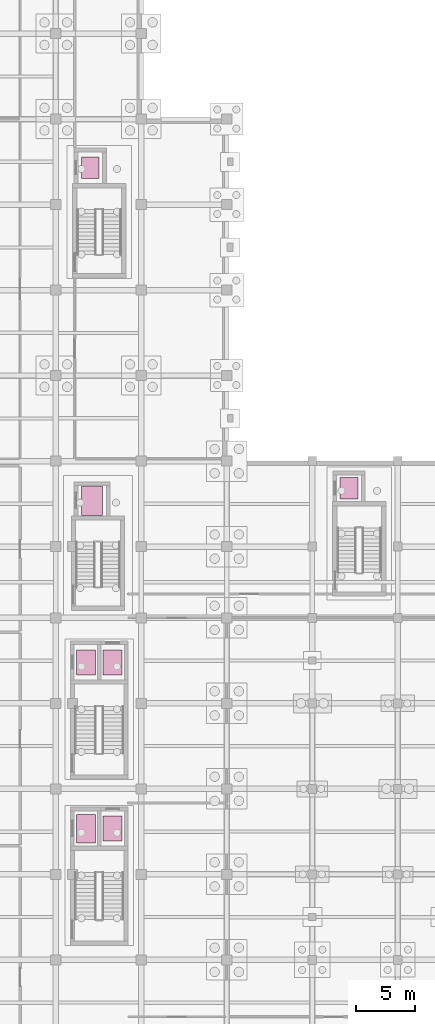
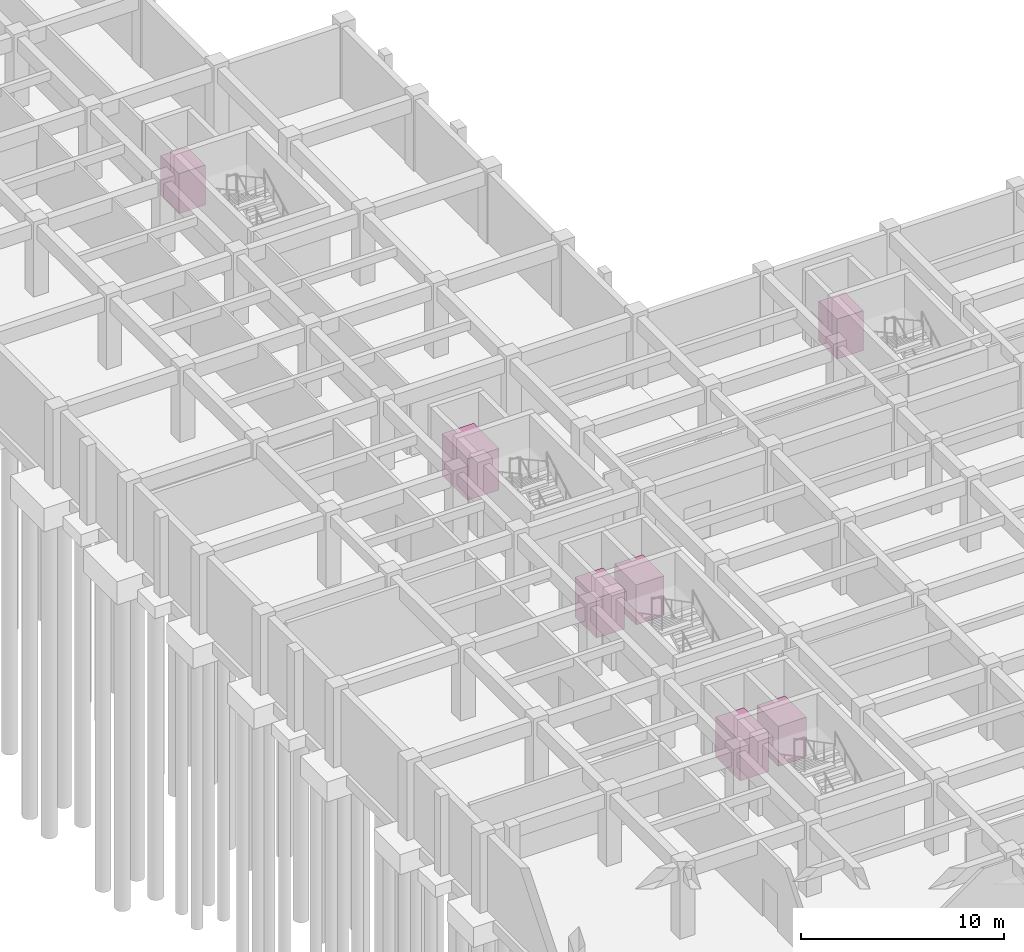
# One storey, part 28 of 28: 7 transport elements.
"""IFC4 building model written with IfcOpenShell, lengths in metres."""

from ifc_helpers import new_model, si_unit, direction, frame, origin, origin_2d, place, context, subcontext, project, spatial, rectangle, extrude, material, type_object, element, save


model = new_model("IFC4")

# Units and contexts
model_context = context("Model", 3, precision=1e-05, world=origin(), true_north=direction((0.0, 1.0)))
body_context = subcontext(model_context, "Body", "Model", "MODEL_VIEW")
ifc_project = project(units=[si_unit("LENGTHUNIT", "METRE"), si_unit("AREAUNIT", "SQUARE_METRE"), si_unit("VOLUMEUNIT", "CUBIC_METRE"), si_unit("PLANEANGLEUNIT", "RADIAN"), si_unit("MASSUNIT", "GRAM", prefix="KILO")], contexts=[model_context])

# Site, building, storey
site_placement = place(None, origin())
site = spatial("IfcSite", under=ifc_project, at=site_placement, CompositionType="ELEMENT")
building_placement = place(site_placement, origin())
building = spatial("IfcBuilding", under=site, at=building_placement, Name="Alvorim Cloister Faculty of Sciences", CompositionType="ELEMENT")
storey_placement = place(building_placement, frame((0.0, 0.0, -4.5)))
storey = spatial("IfcBuildingStorey", under=building, at=storey_placement, Name="B01", CompositionType="ELEMENT", Elevation=-4.5)

# Transport elements
ifc_material = material(Name="Brushed Stainless Steel", Category="steel")
transport_element_type_1 = type_object("IfcTransportElementType", Name="LFT-FF-1600x2400", PredefinedType="ELEVATOR", material=ifc_material)
transport_element_1_placement = place(storey_placement, frame((16.929931640625, 25.449951171875, 0.0), z_axis=(0.0, 0.0, 1.0), x_axis=(1.0, 0.0, 0.0)))
element("IfcTransportElement", 1, at=transport_element_1_placement, inside=storey, type_object=transport_element_type_1, Name="Emergency Firefighting and Stretcher Lift LF-01", PredefinedType="ELEVATOR", context=body_context, shape_type="SweptSolid", body=[
    extrude(rectangle(XDim=1.60009765625, YDim=2.39990234375, at=origin_2d()), origin(), (0.0, 0.0, 1.0), 2.39990234375),
])
transport_element_type_2 = type_object("IfcTransportElementType", Name="LFT-GDS-1800x2500", PredefinedType="ELEVATOR", material=ifc_material)
transport_element_2_placement = place(storey_placement, frame((17.449951171875, 53.050048828125, 0.0), z_axis=(0.0, 0.0, 1.0), x_axis=(1.0, 0.0, 0.0)))
element("IfcTransportElement", 2, at=transport_element_2_placement, inside=storey, type_object=transport_element_type_2, Name="Laboratory Clean/Dirty Goods Lift LG-01", PredefinedType="ELEVATOR", context=body_context, shape_type="SweptSolid", body=[
    extrude(rectangle(XDim=1.800048828125, YDim=2.5, at=origin_2d()), origin(), (0.0, 0.0, 1.0), 2.5),
])
transport_element_type_3 = type_object("IfcTransportElementType", Name="LFT-PAX-1500x1800", PredefinedType="ELEVATOR", material=ifc_material)
for number, where, z_axis, x_axis, name in (
    (3, (39.10009765625, 54.10009765625, 0.0), (0.0, 0.0, 1.0), (1.0, 0.0, 0.0), "Laboratory Wing Passenger Lift LP-04"),
    (4, (17.300048828125, 81.10009765625, 0.0), (0.0, 0.0, 1.0), (1.0, 0.0, 0.0), "Learning Commons Passenger Lift LP-05"),
):
    element("IfcTransportElement", number, at=place(storey_placement, frame(where, z_axis=z_axis, x_axis=x_axis)), inside=storey, type_object=transport_element_type_3, Name=name, PredefinedType="ELEVATOR", context=body_context, shape_type="SweptSolid", body=[
        extrude(rectangle(XDim=1.5, YDim=1.800048828125, at=origin_2d()), origin(), (0.0, 0.0, 1.0), 2.39990234375),
    ])
transport_element_type_4 = type_object("IfcTransportElementType", Name="LFT-PAX-1600x2100", PredefinedType="ELEVATOR", material=ifc_material)
for number, where, z_axis, x_axis, name in (
    (5, (19.18994140625, 25.449951171875, 0.0), (0.0, 0.0, 1.0), (1.0, 0.0, 0.0), "Main Tower Passenger Lift LP-01"),
    (6, (16.929931640625, 39.449951171875, 0.0), (0.0, 0.0, 1.0), (1.0, 0.0, 0.0), "Main Tower Passenger Lift LP-02"),
    (7, (19.18994140625, 39.449951171875, 0.0), (0.0, 0.0, 1.0), (1.0, 0.0, 0.0), "Atrium and Tower Passenger Lift LP-03"),
):
    element("IfcTransportElement", number, at=place(storey_placement, frame(where, z_axis=z_axis, x_axis=x_axis)), inside=storey, type_object=transport_element_type_4, Name=name, PredefinedType="ELEVATOR", context=body_context, shape_type="SweptSolid", body=[
        extrude(rectangle(XDim=1.60009765625, YDim=2.10009765625, at=origin_2d()), origin(), (0.0, 0.0, 1.0), 2.39990234375),
    ])

save(model, "model.ifc")
